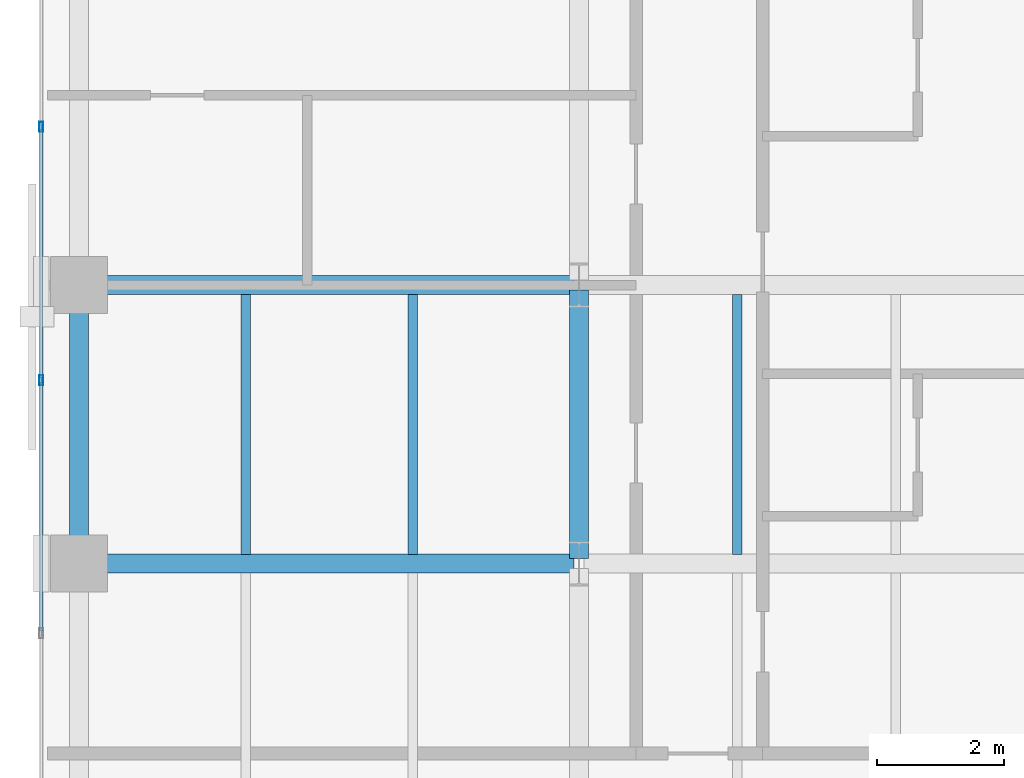
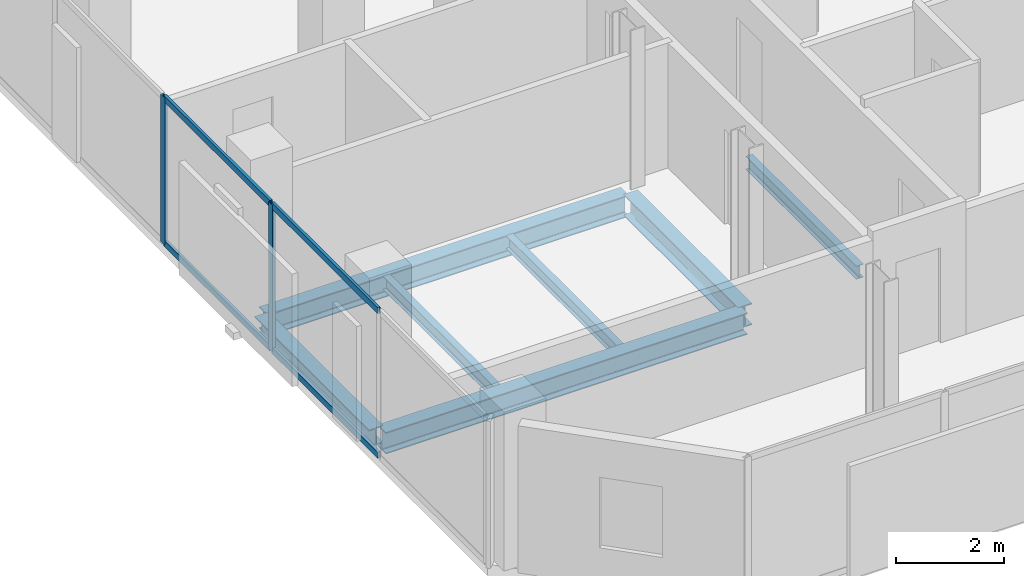
# One storey, part 5 of 35: 7 beams, 6 members, 1 element without a shape of its own.
"""IFC4 building model written with IfcOpenShell, lengths in metres."""

from ifc_helpers import new_model, si_unit, direction, frame, origin, origin_2d, place, context, subcontext, project, spatial, hollow_rectangle, i_section, extrude, material, layer, layer_set, material_profile, profile_set, type_object, element, aggregate, save


model = new_model("IFC4")

# Units and contexts
model_context = context("Model", 3, precision=1e-05, world=origin(), true_north=direction((0.0, 1.0)))
body_context = subcontext(model_context, "Body", "Model", "MODEL_VIEW")
ifc_project = project(units=[si_unit("LENGTHUNIT", "METRE"), si_unit("AREAUNIT", "SQUARE_METRE"), si_unit("VOLUMEUNIT", "CUBIC_METRE"), si_unit("PLANEANGLEUNIT", "RADIAN"), si_unit("MASSUNIT", "GRAM", prefix="KILO")], contexts=[model_context])

# Site, building, storey
site_placement = place(None, origin())
site = spatial("IfcSite", under=ifc_project, at=site_placement, CompositionType="ELEMENT")
building_placement = place(site_placement, origin())
building = spatial("IfcBuilding", under=site, at=building_placement, Name="Catumbela Crestline Tower", CompositionType="ELEMENT")
storey_placement = place(building_placement, frame((0.0, 0.0, 90.0)))
storey = spatial("IfcBuildingStorey", under=building, at=storey_placement, Name="L22", CompositionType="ELEMENT", Elevation=90.0)

# Beams
ifc_material_1 = material(Name="Structural steel S355J2", Category="steel")
ifc_material_profile_1 = material_profile(ifc_material_1, i_section(OverallWidth=0.3, OverallDepth=0.49, WebThickness=0.012, FlangeThickness=0.023, FilletRadius=0.027, at=origin_2d()), Name="HEA 500")
ifc_profile_set_1 = profile_set([ifc_material_profile_1], Name="Structural steel S355J2")
beam_type_1 = type_object("IfcBeamType", Name="BG-HEA500", PredefinedType="BEAM", material=ifc_profile_set_1)
for number, where, z_axis, x_axis, name in (
    (1, (0.68, 13.6, -0.505), (1.0, 0.0, 0.0), (0.0, 1.0, 0.0), "L22 Beam BM-L22-WEW46"),
    (2, (0.68, 18.0, -0.505), (1.0, 0.0, 0.0), (0.0, 1.0, 0.0), "L22 Beam BM-L22-WEW49"),
):
    element("IfcBeam", number, at=place(storey_placement, frame(where, z_axis=z_axis, x_axis=x_axis)), inside=storey, type_object=beam_type_1, Name=name, PredefinedType="BEAM", context=body_context, shape_type="SweptSolid", body=[
        extrude(i_section(OverallWidth=0.3, OverallDepth=0.49, WebThickness=0.012, FlangeThickness=0.023, FilletRadius=0.027, at=origin_2d()), origin(), (0.0, 0.0, 1.0), 7.74),
    ])
beam_1_placement = place(storey_placement, frame((8.5, 13.68, -0.505), z_axis=(0.0, 1.0, 0.0), x_axis=(-1.0, 0.0, 0.0)))
element("IfcBeam", 3, at=beam_1_placement, inside=storey, type_object=beam_type_1, Name="L22 Beam BM-L22-WNS56", PredefinedType="BEAM", context=body_context, shape_type="SweptSolid", body=[
    extrude(i_section(OverallWidth=0.3, OverallDepth=0.49, WebThickness=0.012, FlangeThickness=0.023, FilletRadius=0.027, at=origin_2d()), origin(), (0.0, 0.0, 1.0), 4.24),
])
ifc_material_profile_2 = material_profile(ifc_material_1, i_section(OverallWidth=0.15, OverallDepth=0.3, WebThickness=0.0071, FlangeThickness=0.0107, FilletRadius=0.015, at=origin_2d()), Name="IPE 300")
ifc_profile_set_2 = profile_set([ifc_material_profile_2], Name="Structural steel S355J2")
beam_type_2 = type_object("IfcBeamType", Name="BJ-IPE300", PredefinedType="JOIST", material=ifc_profile_set_2)
for number, where, z_axis, x_axis, name in (
    (4, (3.233, 13.747, -0.41), (0.0, 1.0, 0.0), (-1.0, 0.0, 0.0), "L22 Joist JS-L22-WG69"),
    (5, (5.867, 13.747, -0.41), (0.0, 1.0, 0.0), (-1.0, 0.0, 0.0), "L22 Joist JS-L22-WG70"),
    (6, (11.0, 13.747, -0.41), (0.0, 1.0, 0.0), (-1.0, 0.0, 0.0), "L22 Joist JS-L22-WG71"),
):
    element("IfcBeam", number, at=place(storey_placement, frame(where, z_axis=z_axis, x_axis=x_axis)), inside=storey, type_object=beam_type_2, Name=name, PredefinedType="JOIST", context=body_context, shape_type="SweptSolid", body=[
        extrude(i_section(OverallWidth=0.15, OverallDepth=0.3, WebThickness=0.0071, FlangeThickness=0.0107, FilletRadius=0.015, at=origin_2d()), origin(), (0.0, 0.0, 1.0), 4.106),
    ])

# Curtain wall, members
ifc_material_2 = material(Name="Aluminium alloy AW-6060-T66", Category="aluminium")
ifc_layer = layer(ifc_material_2, 0.18, Name="Aluminium alloy AW-6060-T66")
ifc_layer_set = layer_set([ifc_layer], Name="Aluminium alloy AW-6060-T66")
curtain_wall_type = type_object("IfcCurtainWallType", Name="CWU-Z2", PredefinedType="USERDEFINED", material=ifc_layer_set)
curtain_wall_placement = place(storey_placement, origin())
curtain_wall = element("IfcCurtainWall", 7, at=curtain_wall_placement, inside=storey, type_object=curtain_wall_type, Name="L22 Unitised Curtain Wall CW-L22-E9S1", ObjectType="UNITISED", PredefinedType="USERDEFINED")
ifc_material_profile_3 = material_profile(ifc_material_2, hollow_rectangle(XDim=0.06, YDim=0.16, WallThickness=0.004, at=origin_2d()), Name="ALU 160x60x4")
ifc_profile_set_3 = profile_set([ifc_material_profile_3], Name="Aluminium alloy AW-6060-T66")
member_type_1 = type_object("IfcMemberType", Name="MUL-160X60", PredefinedType="MULLION", material=ifc_profile_set_3)
member_1_placement = place(storey_placement, frame((0.0, 20.5, 0.0), z_axis=(0.0, 0.0, 1.0), x_axis=(1.0, 0.0, 0.0)))
member_1 = element("IfcMember", 8, at=member_1_placement, type_object=member_type_1, Name="CWU-Z2 mullion 7", PredefinedType="MULLION", context=body_context, shape_type="SweptSolid", body=[
    extrude(hollow_rectangle(XDim=0.06, YDim=0.16, WallThickness=0.004, at=origin_2d()), origin(), (0.0, 0.0, 1.0), 3.33),
])
member_2_placement = place(storey_placement, frame((0.0, 16.5, 0.0), z_axis=(0.0, 0.0, 1.0), x_axis=(1.0, 0.0, 0.0)))
member_2 = element("IfcMember", 9, at=member_2_placement, type_object=member_type_1, Name="CWU-Z2 mullion 8", PredefinedType="MULLION", context=body_context, shape_type="SweptSolid", body=[
    extrude(hollow_rectangle(XDim=0.06, YDim=0.16, WallThickness=0.004, at=origin_2d()), origin(), (0.0, 0.0, 1.0), 3.33),
])

# Beam
ifc_material_profile_4 = material_profile(ifc_material_1, i_section(OverallWidth=0.3, OverallDepth=0.4, WebThickness=0.0135, FlangeThickness=0.024, FilletRadius=0.027, at=origin_2d()), Name="HEB 400")
ifc_profile_set_4 = profile_set([ifc_material_profile_4], Name="Structural steel S355J2")
beam_type_3 = type_object("IfcBeamType", Name="BS-HEB400", PredefinedType="SPANDREL", material=ifc_profile_set_4)
beam_2_placement = place(storey_placement, frame((0.6, 13.68, -0.46), z_axis=(0.0, 1.0, 0.0), x_axis=(-1.0, 0.0, 0.0)))
element("IfcBeam", 10, at=beam_2_placement, inside=storey, type_object=beam_type_3, Name="L22 Spandrel SP-L22-WNS53", PredefinedType="SPANDREL", context=body_context, shape_type="SweptSolid", body=[
    extrude(i_section(OverallWidth=0.3, OverallDepth=0.4, WebThickness=0.0135, FlangeThickness=0.024, FilletRadius=0.027, at=origin_2d()), origin(), (0.0, 0.0, 1.0), 4.24),
])

# Member
ifc_material_profile_5 = material_profile(ifc_material_2, hollow_rectangle(XDim=0.06, YDim=0.14, WallThickness=0.004, at=origin_2d()), Name="ALU 140x60x4")
ifc_profile_set_5 = profile_set([ifc_material_profile_5], Name="Aluminium alloy AW-6060-T66")
member_type_2 = type_object("IfcMemberType", Name="TRN-140X60", PredefinedType="USERDEFINED", material=ifc_profile_set_5)
member_3_placement = place(storey_placement, frame((0.0, 20.4675, 0.03), z_axis=(0.0, -1.0, 0.0), x_axis=(1.0, 0.0, 0.0)))
member_3 = element("IfcMember", 11, at=member_3_placement, type_object=member_type_2, Name="CWU-Z2 transom 7.1", ObjectType="TRANSOM", PredefinedType="USERDEFINED", context=body_context, shape_type="SweptSolid", body=[
    extrude(hollow_rectangle(XDim=0.06, YDim=0.14, WallThickness=0.004, at=origin_2d()), origin(), (0.0, 0.0, 1.0), 3.935),
])

member_4_placement = place(storey_placement, frame((0.0, 20.4675, 3.3), z_axis=(0.0, -1.0, 0.0), x_axis=(1.0, 0.0, 0.0)))
member_4 = element("IfcMember", 12, at=member_4_placement, type_object=member_type_2, Name="CWU-Z2 transom 7.2", ObjectType="TRANSOM", PredefinedType="USERDEFINED", context=body_context, shape_type="SweptSolid", body=[
    extrude(hollow_rectangle(XDim=0.06, YDim=0.14, WallThickness=0.004, at=origin_2d()), origin(), (0.0, 0.0, 1.0), 3.935),
])

member_5_placement = place(storey_placement, frame((0.0, 16.4675, 0.03), z_axis=(0.0, -1.0, 0.0), x_axis=(1.0, 0.0, 0.0)))
member_5 = element("IfcMember", 13, at=member_5_placement, type_object=member_type_2, Name="CWU-Z2 transom 8.1", ObjectType="TRANSOM", PredefinedType="USERDEFINED", context=body_context, shape_type="SweptSolid", body=[
    extrude(hollow_rectangle(XDim=0.06, YDim=0.14, WallThickness=0.004, at=origin_2d()), origin(), (0.0, 0.0, 1.0), 3.935),
])

member_6_placement = place(storey_placement, frame((0.0, 16.4675, 3.3), z_axis=(0.0, -1.0, 0.0), x_axis=(1.0, 0.0, 0.0)))
member_6 = element("IfcMember", 14, at=member_6_placement, type_object=member_type_2, Name="CWU-Z2 transom 8.2", ObjectType="TRANSOM", PredefinedType="USERDEFINED", context=body_context, shape_type="SweptSolid", body=[
    extrude(hollow_rectangle(XDim=0.06, YDim=0.14, WallThickness=0.004, at=origin_2d()), origin(), (0.0, 0.0, 1.0), 3.935),
])

aggregate(curtain_wall, [member_1, member_2, member_3, member_4, member_5, member_6])

save(model, "model.ifc")
